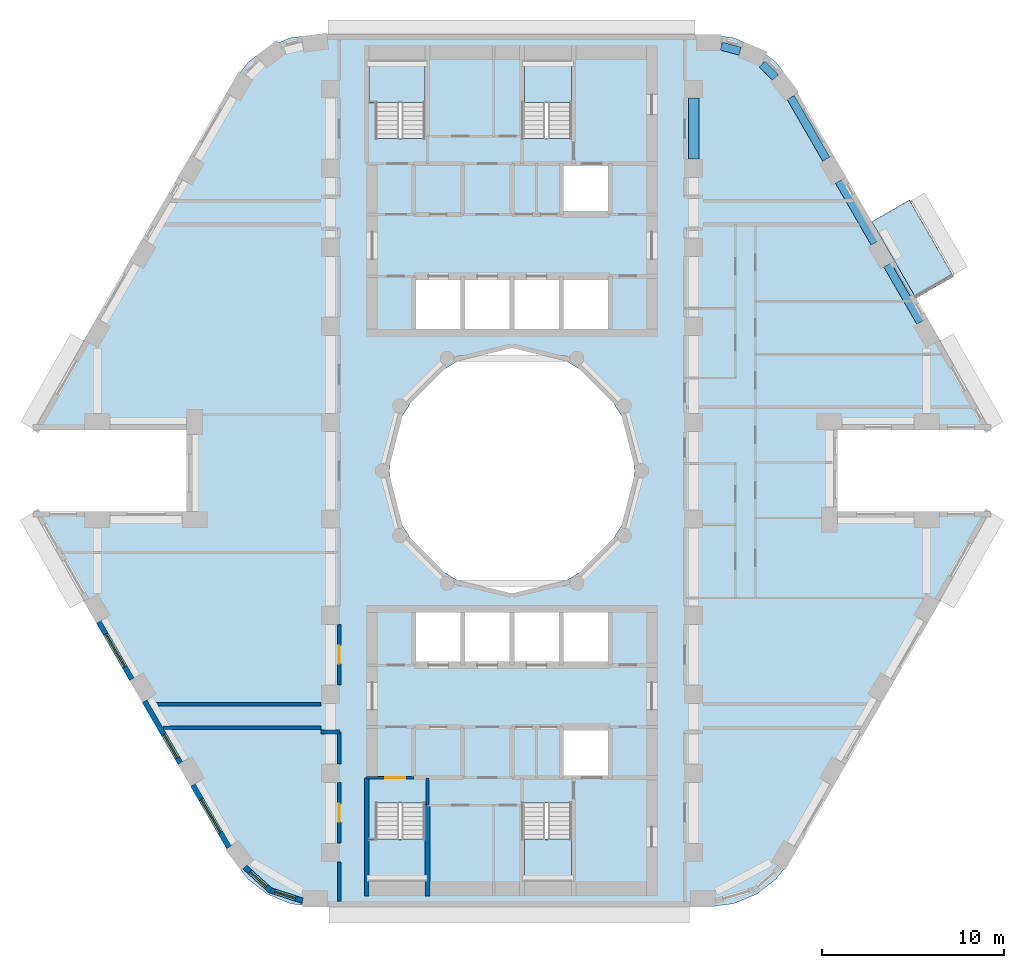
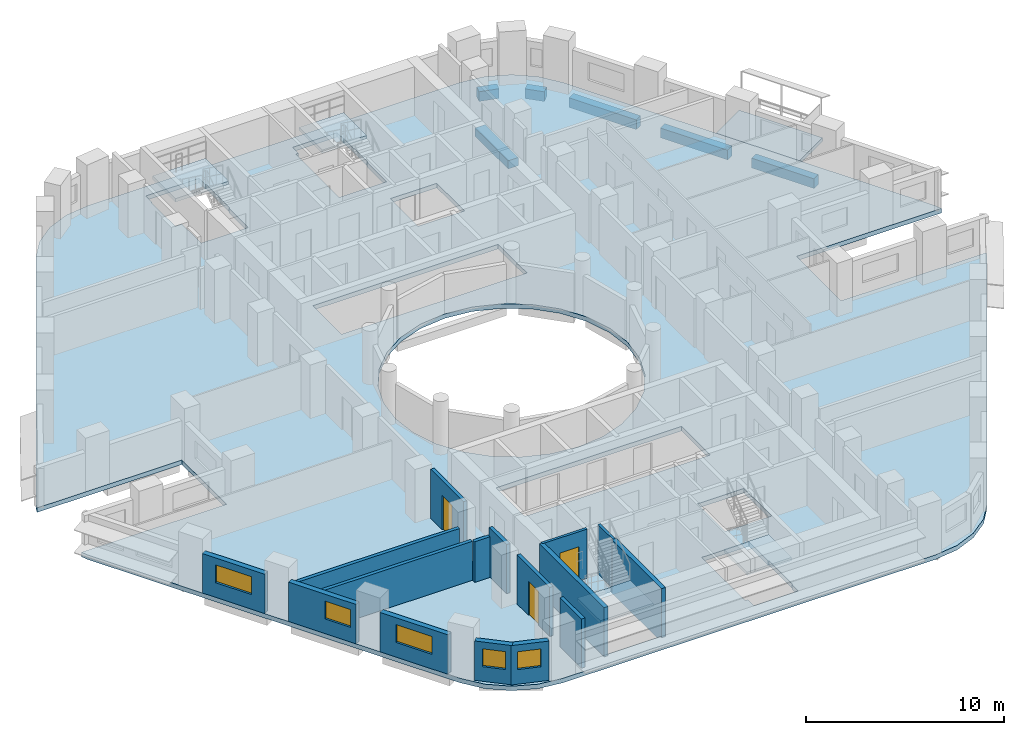
# One storey, part 2 of 13: 16 walls, 6 beams, 6 slabs, 5 windows, 3 doors, 8 openings, 4 elements without a shape of their own.
"""IFC4 building model written with IfcOpenShell, lengths in metres."""

from ifc_helpers import new_model, si_unit, direction, frame, frame_2d, origin, origin_2d, place, context, subcontext, project, spatial, polyline, rectangle, outline, extrude, material, layer, layer_set, material_profile, profile_set, type_object, element, fill, aggregate, save


model = new_model("IFC4")

# Units and contexts
model_context = context("Model", 3, precision=1e-05, world=origin(), true_north=direction((0.0, 1.0)))
body_context = subcontext(model_context, "Body", "Model", "MODEL_VIEW")
ifc_project = project(units=[si_unit("LENGTHUNIT", "METRE"), si_unit("AREAUNIT", "SQUARE_METRE"), si_unit("VOLUMEUNIT", "CUBIC_METRE"), si_unit("PLANEANGLEUNIT", "RADIAN"), si_unit("MASSUNIT", "GRAM", prefix="KILO")], contexts=[model_context])

# Site, building, storey
site_placement = place(None, origin())
site = spatial("IfcSite", under=ifc_project, at=site_placement, CompositionType="ELEMENT")
building_placement = place(site_placement, origin())
building = spatial("IfcBuilding", under=site, at=building_placement, Name="Nakaniwa Court", CompositionType="ELEMENT")
storey_placement = place(building_placement, frame((0.0, 0.0, 84.300048828125)))
storey = spatial("IfcBuildingStorey", under=building, at=storey_placement, Name="L21", CompositionType="ELEMENT", Elevation=84.300048828125)

# Beams
ifc_material_1 = material(Name="Concrete C80/100", Category="concrete")
ifc_material_profile_1 = material_profile(ifc_material_1, rectangle(XDim=0.449951171875, YDim=0.60009765625, at=origin_2d()), Name="Concrete C80/100 RC 450x600 spandrel beam")
ifc_profile_set_1 = profile_set([ifc_material_profile_1], Name="Concrete C80/100")
beam_type_1 = type_object("IfcBeamType", Name="Concrete C80/100 RC 450x600 spandrel beam", PredefinedType="BEAM", material=ifc_profile_set_1)
beam_1_placement = place(storey_placement, frame((102.472900390625, 88.17578125, -0.574951171875), z_axis=(-0.499988394233, 0.866032104273, 0.0), x_axis=(-0.866032104273, -0.499988394233, 0.0)))
element("IfcBeam", 1, at=beam_1_placement, inside=storey, type_object=beam_type_1, Name="SPANDREL BEAM", PredefinedType="BEAM", context=body_context, shape_type="SweptSolid", body=[
    extrude(rectangle(XDim=0.449951171875, YDim=0.60009765625, at=origin_2d()), origin(), (0.0, 0.0, 1.0), 3.62890625),
])
beam_2_placement = place(storey_placement, frame((99.95849609375, 92.531005859375, -0.574951171875), z_axis=(-0.49999161165, 0.866030246746, 0.0), x_axis=(-0.866030246746, -0.49999161165, 0.0)))
element("IfcBeam", 2, at=beam_2_placement, inside=storey, type_object=beam_type_1, Name="SPANDREL BEAM", PredefinedType="BEAM", context=body_context, shape_type="SweptSolid", body=[
    extrude(rectangle(XDim=0.449951171875, YDim=0.60009765625, at=origin_2d()), origin(), (0.0, 0.0, 1.0), 3.92578125),
])
beam_3_placement = place(storey_placement, frame((97.29541015625, 97.143310546875, -0.574951171875), z_axis=(-0.499997407846, 0.86602690036, 0.0), x_axis=(-0.86602690036, -0.499997407846, 0.0)))
element("IfcBeam", 3, at=beam_3_placement, inside=storey, type_object=beam_type_1, Name="SPANDREL BEAM", PredefinedType="BEAM", context=body_context, shape_type="SweptSolid", body=[
    extrude(rectangle(XDim=0.449951171875, YDim=0.60009765625, at=origin_2d()), origin(), (0.0, 0.0, 1.0), 3.919921875),
])
beam_4_placement = place(storey_placement, frame((94.484130859375, 101.6494140625, -0.574951171875), z_axis=(-0.705911336947, 0.7083002078, 0.0), x_axis=(-0.7083002078, -0.705911336947, 0.0)))
element("IfcBeam", 4, at=beam_4_placement, inside=storey, type_object=beam_type_1, Name="SPANDREL BEAM", PredefinedType="BEAM", context=body_context, shape_type="SweptSolid", body=[
    extrude(rectangle(XDim=0.449951171875, YDim=0.60009765625, at=origin_2d()), origin(), (0.0, 0.0, 1.0), 1.02197265625),
])
beam_5_placement = place(storey_placement, frame((92.544921875, 103.091796875, -0.574951171875), z_axis=(-0.966315487466, 0.257360406209, 0.0), x_axis=(-0.257360406209, -0.966315487466, 0.0)))
element("IfcBeam", 5, at=beam_5_placement, inside=storey, type_object=beam_type_1, Name="SPANDREL BEAM", PredefinedType="BEAM", context=body_context, shape_type="SweptSolid", body=[
    extrude(rectangle(XDim=0.449951171875, YDim=0.60009765625, at=origin_2d()), origin(), (0.0, 0.0, 1.0), 1.055908203125),
])
ifc_material_profile_2 = material_profile(ifc_material_1, rectangle(XDim=0.60009765625, YDim=0.5, at=origin_2d()), Name="Concrete C80/100 RC 600x500 ring beam")
ifc_profile_set_2 = profile_set([ifc_material_profile_2], Name="Concrete C80/100")
beam_type_2 = type_object("IfcBeamType", Name="Concrete C80/100 RC 600x500 ring beam", PredefinedType="BEAM", material=ifc_profile_set_2)
beam_6_placement = place(storey_placement, frame((90.0, 97.14990234375, -0.525146484375), z_axis=(0.0, 1.0, 0.0), x_axis=(-1.0, 0.0, 0.0)))
element("IfcBeam", 6, at=beam_6_placement, inside=storey, type_object=beam_type_2, Name="RING BEAM", PredefinedType="BEAM", context=body_context, shape_type="SweptSolid", body=[
    extrude(rectangle(XDim=0.60009765625, YDim=0.5, at=origin_2d()), origin(), (0.0, 0.0, 1.0), 3.35009765625),
])

# Slabs
ifc_material_2 = material(Name="Charcoal ceramic paver")
ifc_layer_1 = layer(ifc_material_2, 0.02, Name="Ceramic paver")
ifc_material_3 = material(Name="Cement sand screed")
ifc_layer_2 = layer(ifc_material_3, 0.03, Name="Falls screed")
ifc_material_4 = material(Name="Concrete C40/50", Category="concrete")
ifc_layer_3 = layer(ifc_material_4, 0.15, Name="Balcony slab")
ifc_layer_set_1 = layer_set([ifc_layer_1, ifc_layer_2, ifc_layer_3], Name="Concrete C40/50 balcony slab with ceramic paver finish")
slab_type_1 = type_object("IfcSlabType", Name="Balcony slab 200", PredefinedType="FLOOR", material=ifc_layer_set_1)
slab_1_placement = place(storey_placement, frame((0.0, 0.0, -0.25)))
element("IfcSlab", 7, at=slab_1_placement, inside=storey, type_object=slab_type_1, Name="L21 balcony 01", PredefinedType="FLOOR", context=body_context, shape_type="SweptSolid", body=[
    extrude(outline(polyline([(102.230712890625, 89.49560546875), (99.797607421875, 93.7099609375), (101.8759765625, 94.909912109375), (104.30908203125, 90.695556640625), (102.230712890625, 89.49560546875)])), origin(), (0.0, 0.0, 1.0), 0.199951171875),
])
ifc_layer_4 = layer(ifc_material_1, 0.27490234375)
ifc_layer_set_2 = layer_set([ifc_layer_4], Name="Concrete C80/100")
slab_type_2 = type_object("IfcSlabType", Name="Concrete C80/100 post tensioned floor slab 275", PredefinedType="FLOOR", material=ifc_layer_set_2)
slab_2_placement = place(storey_placement, frame((0.0, 0.0, -0.275146484375)))
element("IfcSlab", 8, at=slab_2_placement, inside=storey, type_object=slab_type_2, Name="FLOOR SLAB", PredefinedType="FLOOR", context=body_context, shape_type="SweptSolid", body=[
    extrude(outline(polyline([(97.908447265625, 82.25), (106.356689453125, 82.25), (106.211669921875, 82.60009765625), (95.357421875, 101.39990234375), (94.531005859375, 102.47705078125), (93.4541015625, 103.30322265625), (92.199951171875, 103.82275390625), (90.854248046875, 104.0), (69.145751953125, 104.0), (67.800048828125, 103.82275390625), (66.5458984375, 103.30322265625), (65.468994140625, 102.47705078125), (64.642578125, 101.39990234375), (53.788330078125, 82.60009765625), (53.643310546875, 82.25), (62.091552734375, 82.25), (62.091552734375, 77.75), (53.643310546875, 77.75), (53.788330078125, 77.39990234375), (64.642578125, 58.60009765625), (65.468994140625, 57.52294921875), (66.5458984375, 56.69677734375), (67.800048828125, 56.17724609375), (69.145751953125, 56.0), (90.854248046875, 56.0), (92.199951171875, 56.17724609375), (93.4541015625, 56.69677734375), (94.531005859375, 57.52294921875), (95.357421875, 58.60009765625), (106.211669921875, 77.39990234375), (106.356689453125, 77.75), (97.908447265625, 77.75), (97.908447265625, 82.25)]), holes=[polyline([(81.501953125, 86.580810546875), (80.0, 86.75), (78.498046875, 86.580810546875), (77.0712890625, 86.08154296875), (75.79150390625, 85.27734375), (74.72265625, 84.20849609375), (73.91845703125, 82.9287109375), (73.419189453125, 81.501953125), (73.25, 80.0), (73.419189453125, 78.498046875), (73.91845703125, 77.0712890625), (74.72265625, 75.79150390625), (75.79150390625, 74.72265625), (77.0712890625, 73.91845703125), (78.498046875, 73.419189453125), (80.0, 73.25), (81.501953125, 73.419189453125), (82.9287109375, 73.91845703125), (84.20849609375, 74.72265625), (85.27734375, 75.79150390625), (86.08154296875, 77.0712890625), (86.580810546875, 78.498046875), (86.75, 80.0), (86.580810546875, 81.501953125), (86.08154296875, 82.9287109375), (85.27734375, 84.20849609375), (84.20849609375, 85.27734375), (82.9287109375, 86.08154296875), (81.501953125, 86.580810546875)]), polyline([(75.264892578125, 57.360107421875), (75.264892578125, 59.764892578125), (75.22509765625, 59.764892578125), (75.22509765625, 61.7099609375), (72.47509765625, 61.7099609375), (72.47509765625, 59.764892578125), (72.0849609375, 59.764892578125), (72.0849609375, 57.360107421875), (72.125, 57.360107421875), (72.125, 56.72509765625), (75.22509765625, 56.72509765625), (75.22509765625, 57.324951171875), (75.22509765625, 57.360107421875), (75.264892578125, 57.360107421875)]), polyline([(80.0, 69.300048828125), (82.699951171875, 69.300048828125), (85.39990234375, 69.300048828125), (85.39990234375, 72.199951171875), (82.699951171875, 72.199951171875), (80.0, 72.199951171875), (77.300048828125, 72.199951171875), (74.60009765625, 72.199951171875), (74.60009765625, 69.300048828125), (77.300048828125, 69.300048828125), (80.0, 69.300048828125)]), polyline([(80.0, 87.800048828125), (82.699951171875, 87.800048828125), (85.39990234375, 87.800048828125), (85.39990234375, 90.699951171875), (82.699951171875, 90.699951171875), (80.0, 90.699951171875), (77.300048828125, 90.699951171875), (74.60009765625, 90.699951171875), (74.60009765625, 87.800048828125), (77.300048828125, 87.800048828125), (80.0, 87.800048828125)]), polyline([(75.264892578125, 100.235107421875), (75.264892578125, 102.639892578125), (75.22509765625, 102.639892578125), (75.22509765625, 102.675048828125), (75.22509765625, 103.27490234375), (72.125, 103.27490234375), (72.125, 102.639892578125), (72.0849609375, 102.639892578125), (72.0849609375, 100.235107421875), (72.47509765625, 100.235107421875), (72.47509765625, 98.2900390625), (75.22509765625, 98.2900390625), (75.22509765625, 100.235107421875), (75.264892578125, 100.235107421875)]), polyline([(83.27490234375, 61.7099609375), (80.52490234375, 61.7099609375), (80.52490234375, 57.324951171875), (80.675048828125, 57.324951171875), (80.675048828125, 56.72509765625), (83.27490234375, 56.72509765625), (83.27490234375, 57.324951171875), (83.27490234375, 57.360107421875), (83.31494140625, 57.360107421875), (83.31494140625, 59.764892578125), (83.27490234375, 59.764892578125), (83.27490234375, 61.7099609375)]), polyline([(85.39990234375, 65.89990234375), (82.699951171875, 65.89990234375), (82.699951171875, 63.10009765625), (85.39990234375, 63.10009765625), (85.39990234375, 65.89990234375)]), polyline([(85.39990234375, 96.89990234375), (82.699951171875, 96.89990234375), (82.699951171875, 94.10009765625), (85.39990234375, 94.10009765625), (85.39990234375, 96.89990234375)]), polyline([(83.27490234375, 100.235107421875), (83.31494140625, 100.235107421875), (83.31494140625, 102.639892578125), (83.27490234375, 102.639892578125), (83.27490234375, 102.675048828125), (83.27490234375, 103.27490234375), (80.675048828125, 103.27490234375), (80.675048828125, 102.675048828125), (80.52490234375, 102.675048828125), (80.52490234375, 98.2900390625), (83.27490234375, 98.2900390625), (83.27490234375, 100.235107421875)])]), origin(), (0.0, 0.0, 1.0), 0.275146484375),
])

# Stair, slab
stair_type = type_object("IfcStairType", Name="Dog leg stair 1300 wide 18 risers", PredefinedType="HALF_TURN_STAIR", material=ifc_material_1)
stair_1_placement = place(storey_placement, origin())
stair_1 = element("IfcStair", 9, at=stair_1_placement, inside=storey, type_object=stair_type, Name="L21 Stair ST1", PredefinedType="HALF_TURN_STAIR")
ifc_layer_5 = layer(ifc_material_1, 0.199951171875)
ifc_layer_set_3 = layer_set([ifc_layer_5], Name="Concrete C80/100")
slab_type_3 = type_object("IfcSlabType", Name="Stair landing concrete", PredefinedType="LANDING", material=ifc_layer_set_3)
slab_3_placement = place(storey_placement, frame((0.0, 0.0, 1.449951171875)))
slab_3 = element("IfcSlab", 10, at=slab_3_placement, type_object=slab_type_3, Name="ST1 landing 1", PredefinedType="LANDING", context=body_context, shape_type="SweptSolid", body=[
    extrude(outline(polyline([(75.22509765625, 100.27490234375), (75.22509765625, 102.60009765625), (72.125, 102.60009765625), (72.125, 100.27490234375), (75.22509765625, 100.27490234375)])), origin(), (0.0, 0.0, 1.0), 0.199951171875),
])
aggregate(stair_1, [slab_3])

stair_2_placement = place(storey_placement, origin())
stair_2 = element("IfcStair", 11, at=stair_2_placement, inside=storey, type_object=stair_type, Name="L21 Stair ST2", PredefinedType="HALF_TURN_STAIR")
slab_4_placement = place(storey_placement, frame((0.0, 0.0, 1.449951171875)))
slab_4 = element("IfcSlab", 12, at=slab_4_placement, type_object=slab_type_3, Name="ST2 landing 1", PredefinedType="LANDING", context=body_context, shape_type="SweptSolid", body=[
    extrude(outline(polyline([(83.27490234375, 100.27490234375), (83.27490234375, 102.60009765625), (80.675048828125, 102.60009765625), (80.675048828125, 100.27490234375), (83.27490234375, 100.27490234375)])), origin(), (0.0, 0.0, 1.0), 0.199951171875),
])
aggregate(stair_2, [slab_4])

stair_3_placement = place(storey_placement, origin())
stair_3 = element("IfcStair", 13, at=stair_3_placement, inside=storey, type_object=stair_type, Name="L21 Stair ST3", PredefinedType="HALF_TURN_STAIR")
slab_5_placement = place(storey_placement, frame((0.0, 0.0, 1.449951171875)))
slab_5 = element("IfcSlab", 14, at=slab_5_placement, type_object=slab_type_3, Name="ST3 landing 1", PredefinedType="LANDING", context=body_context, shape_type="SweptSolid", body=[
    extrude(outline(polyline([(75.22509765625, 57.39990234375), (75.22509765625, 59.72509765625), (72.125, 59.72509765625), (72.125, 57.39990234375), (75.22509765625, 57.39990234375)])), origin(), (0.0, 0.0, 1.0), 0.199951171875),
])
aggregate(stair_3, [slab_5])

stair_4_placement = place(storey_placement, origin())
stair_4 = element("IfcStair", 15, at=stair_4_placement, inside=storey, type_object=stair_type, Name="L21 Stair ST4", PredefinedType="HALF_TURN_STAIR")
slab_6_placement = place(storey_placement, frame((0.0, 0.0, 1.449951171875)))
slab_6 = element("IfcSlab", 16, at=slab_6_placement, type_object=slab_type_3, Name="ST4 landing 1", PredefinedType="LANDING", context=body_context, shape_type="SweptSolid", body=[
    extrude(outline(polyline([(83.27490234375, 57.39990234375), (83.27490234375, 59.72509765625), (80.675048828125, 59.72509765625), (80.675048828125, 57.39990234375), (83.27490234375, 57.39990234375)])), origin(), (0.0, 0.0, 1.0), 0.199951171875),
])
aggregate(stair_4, [slab_6])

# Walls
ifc_material_5 = material(Name="Acoustic double stud partition")
ifc_layer_6 = layer(ifc_material_5, 0.199951171875)
ifc_layer_set_4 = layer_set([ifc_layer_6], Name="Acoustic double stud partition")
wall_type_1 = type_object("IfcWallType", Name="Acoustic double stud partition 200", PredefinedType="PARTITIONING", material=ifc_layer_set_4)
wall_1_placement = place(storey_placement, frame((60.052490234375, 67.14990234375, 0.0), z_axis=(0.0, 0.0, 1.0), x_axis=(1.0, 0.0, 0.0)))
element("IfcWall", 17, at=wall_1_placement, inside=storey, type_object=wall_type_1, Name="Partition PW-089", PredefinedType="PARTITIONING", context=body_context, shape_type="SweptSolid", body=[
    extrude(rectangle(XDim=9.447509765625, YDim=0.199951171875, at=frame_2d((4.7236328125, 0.0))), origin(), (0.0, 0.0, 1.0), 2.405029296875),
])
wall_2_placement = place(storey_placement, frame((60.802978515625, 65.85009765625, 0.0), z_axis=(0.0, 0.0, 1.0), x_axis=(1.0, 0.0, 0.0)))
element("IfcWall", 18, at=wall_2_placement, inside=storey, type_object=wall_type_1, Name="Partition PW-091", PredefinedType="PARTITIONING", context=body_context, shape_type="SweptSolid", body=[
    extrude(rectangle(XDim=8.697021484375, YDim=0.199951171875, at=frame_2d((4.3486328125, 0.0))), origin(), (0.0, 0.0, 1.0), 2.405029296875),
])
wall_3_placement = place(storey_placement, frame((69.5, 65.625, 0.0), z_axis=(0.0, 0.0, 1.0), x_axis=(1.0, 0.0, 0.0)))
element("IfcWall", 19, at=wall_3_placement, inside=storey, type_object=wall_type_1, Name="Partition PW-093", PredefinedType="PARTITIONING", context=body_context, shape_type="SweptSolid", body=[
    extrude(rectangle(XDim=1.0, YDim=0.199951171875, at=frame_2d((0.5, 0.0))), origin(), (0.0, 0.0, 1.0), 2.5048828125),
])
wall_4_placement = place(storey_placement, frame((70.5, 56.300048828125, 0.0), z_axis=(0.0, 0.0, 1.0), x_axis=(0.0, 1.0, 0.0)))
element("IfcWall", 20, at=wall_4_placement, inside=storey, type_object=wall_type_1, Name="Partition PW-095", PredefinedType="PARTITIONING", context=body_context, shape_type="SweptSolid", body=[
    extrude(rectangle(XDim=2.182861328125, YDim=0.199951171875, at=frame_2d((1.09130859375, 0.0))), origin(), (0.0, 0.0, 1.0), 3.02490234375),
])

# Wall, opening, door
wall_5_placement = place(storey_placement, frame((70.5, 59.51708984375, 0.0), z_axis=(0.0, 0.0, 1.0), x_axis=(0.0, 1.0, 0.0)))
wall_5 = element("IfcWall", 21, at=wall_5_placement, inside=storey, type_object=wall_type_1, Name="Partition PW-096", PredefinedType="PARTITIONING", context=body_context, shape_type="SweptSolid", body=[
    extrude(rectangle(XDim=3.31591796875, YDim=0.199951171875, at=frame_2d((1.657958984375, 0.0))), origin(), (0.0, 0.0, 1.0), 3.02490234375),
])
opening_1_placement = place(wall_5_placement, frame((1.157958984375, 0.0, 0.0)))
opening_1 = element("IfcOpeningElement", 22, at=opening_1_placement, cuts=wall_5, Name="Opening D-02-03", PredefinedType="OPENING", context=body_context, shape_type="SweptSolid", body=[
    extrude(rectangle(XDim=1.0, YDim=2.10009765625, at=frame_2d((0.5, 1.050048828125))), frame((0.0, 0.10986328125, 0.0), z_axis=(0.0, -1.0, 0.0), x_axis=(1.0, 0.0, 0.0)), (0.0, 0.0, 1.0), 0.219970703125),
])
ifc_material_6 = material(Name="Solid core timber door set, black veneer", Category="wood")
door_type_1 = type_object("IfcDoorType", Name="Internal door 1000", OperationType="NOTDEFINED", PredefinedType="DOOR", material=ifc_material_6)
door_1_placement = place(opening_1_placement, origin())
door_1 = element("IfcDoor", 23, at=door_1_placement, inside=storey, type_object=door_type_1, Name="Door D-02-03 L21-041", OperationType="SINGLE_SWING_RIGHT", OverallHeight=2.10009765625, OverallWidth=1.0, PredefinedType="DOOR", context=body_context, shape_type="SweptSolid", body=[
    extrude(rectangle(XDim=1.0, YDim=2.10009765625, at=frame_2d((0.5, 1.050048828125))), frame((0.0, 0.02490234375, 0.0), z_axis=(0.0, -1.0, 0.0), x_axis=(1.0, 0.0, 0.0)), (0.0, 0.0, 1.0), 0.050048828125),
])
fill(opening_1, door_1)

# Wall
wall_6_placement = place(storey_placement, frame((70.5, 63.866943359375, 0.0), z_axis=(0.0, 0.0, 1.0), x_axis=(0.0, 1.0, 0.0)))
element("IfcWall", 24, at=wall_6_placement, inside=storey, type_object=wall_type_1, Name="Partition PW-097", PredefinedType="PARTITIONING", context=body_context, shape_type="SweptSolid", body=[
    extrude(rectangle(XDim=1.760986328125, YDim=0.199951171875, at=frame_2d((0.88037109375, 0.0))), origin(), (0.0, 0.0, 1.0), 3.02490234375),
])

# Wall, opening, door
wall_7_placement = place(storey_placement, frame((70.5, 68.217041015625, 0.0), z_axis=(0.0, 0.0, 1.0), x_axis=(0.0, 1.0, 0.0)))
wall_7 = element("IfcWall", 25, at=wall_7_placement, inside=storey, type_object=wall_type_1, Name="Partition PW-098", PredefinedType="PARTITIONING", context=body_context, shape_type="SweptSolid", body=[
    extrude(rectangle(XDim=3.31591796875, YDim=0.199951171875, at=frame_2d((1.657958984375, 0.0))), origin(), (0.0, 0.0, 1.0), 3.02490234375),
])
opening_2_placement = place(wall_7_placement, frame((1.157958984375, 0.0, 0.0)))
opening_2 = element("IfcOpeningElement", 26, at=opening_2_placement, cuts=wall_7, Name="Opening D-02-04", PredefinedType="OPENING", context=body_context, shape_type="SweptSolid", body=[
    extrude(rectangle(XDim=1.0, YDim=2.10009765625, at=frame_2d((0.5, 1.050048828125))), frame((0.0, 0.10986328125, 0.0), z_axis=(0.0, -1.0, 0.0), x_axis=(1.0, 0.0, 0.0)), (0.0, 0.0, 1.0), 0.219970703125),
])
door_2_placement = place(opening_2_placement, origin())
door_2 = element("IfcDoor", 27, at=door_2_placement, inside=storey, type_object=door_type_1, Name="Door D-02-04 L21-042", OperationType="SINGLE_SWING_LEFT", OverallHeight=2.10009765625, OverallWidth=1.0, PredefinedType="DOOR", context=body_context, shape_type="SweptSolid", body=[
    extrude(rectangle(XDim=1.0, YDim=2.10009765625, at=frame_2d((0.5, 1.050048828125))), frame((0.0, 0.02490234375, 0.0), z_axis=(0.0, -1.0, 0.0), x_axis=(1.0, 0.0, 0.0)), (0.0, 0.0, 1.0), 0.050048828125),
])
fill(opening_2, door_2)

# Wall, opening, window
ifc_material_7 = material(Name="Charcoal ceramic cladding")
ifc_layer_7 = layer(ifc_material_7, 0.02, Name="Ceramic cladding")
ifc_material_8 = material(Name="Ventilated air cavity")
ifc_layer_8 = layer(ifc_material_8, 0.04, ventilated=True, Name="Ventilated cavity")
ifc_material_9 = material(Name="Mineral wool insulation")
ifc_layer_9 = layer(ifc_material_9, 0.1, Name="Insulation")
ifc_material_10 = material(Name="Cement bonded sheathing board")
ifc_layer_10 = layer(ifc_material_10, 0.012, Name="Sheathing")
ifc_material_11 = material(Name="Cold-formed galvanised stud frame with mineral wool infill")
ifc_layer_11 = layer(ifc_material_11, 0.1, Name="Stud frame")
ifc_material_12 = material(Name="Fire-rated gypsum plasterboard lining")
ifc_layer_12 = layer(ifc_material_12, 0.028, Name="Lining")
ifc_layer_set_5 = layer_set([ifc_layer_7, ifc_layer_8, ifc_layer_9, ifc_layer_10, ifc_layer_11, ifc_layer_12], Name="Charcoal ceramic faced external wall system")
wall_type_2 = type_object("IfcWallType", Name="Black ceramic faced external wall 300", PredefinedType="SOLIDWALL", material=ifc_layer_set_5)
wall_8_placement = place(storey_placement, frame((57.265380859375, 71.677490234375, 0.0), z_axis=(0.0, 0.0, 1.0), x_axis=(0.500009139881, -0.866020126807, 0.0)))
wall_8 = element("IfcWall", 28, at=wall_8_placement, inside=storey, type_object=wall_type_2, Name="L21 external wall 21", PredefinedType="SOLIDWALL", context=body_context, shape_type="SweptSolid", body=[
    extrude(rectangle(XDim=3.63671875, YDim=0.300048828125, at=frame_2d((1.818359375, 0.0))), origin(), (0.0, 0.0, 1.0), 2.425048828125),
])
opening_3_placement = place(wall_8_placement, frame((0.768310546875, 0.0, 0.89990234375)))
opening_3 = element("IfcOpeningElement", 29, at=opening_3_placement, cuts=wall_8, Name="Opening W7.22", PredefinedType="OPENING", context=body_context, shape_type="SweptSolid", body=[
    extrude(rectangle(XDim=2.10009765625, YDim=1.10009765625, at=frame_2d((1.050048828125, 0.550048828125))), frame((0.0, 0.159912109375, 0.0), z_axis=(0.0, -1.0, 0.0), x_axis=(1.0, 0.0, 0.0)), (0.0, 0.0, 1.0), 0.320068359375),
])
ifc_material_13 = material(Name="Black anodised aluminium frame with dark low-E laminated double glazing", Category="aluminium")
window_type_1 = type_object("IfcWindowType", Name="Dark glass window 2100x1100 sill 900", PartitioningType="SINGLE_PANEL", PredefinedType="WINDOW", material=ifc_material_13)
window_1_placement = place(opening_3_placement, origin())
window_1 = element("IfcWindow", 30, at=window_1_placement, inside=storey, type_object=window_type_1, Name="L21 habitable room window 21-0", OverallHeight=1.10009765625, OverallWidth=2.10009765625, PartitioningType="SINGLE_PANEL", PredefinedType="WINDOW", context=body_context, shape_type="SweptSolid", body=[
    extrude(rectangle(XDim=2.10009765625, YDim=1.10009765625, at=frame_2d((1.050048828125, 0.550048828125))), frame((0.0, 0.030029296875, 0.0), z_axis=(0.0, -1.0, 0.0), x_axis=(1.0, 0.0, 0.0)), (0.0, 0.0, 1.0), 0.06005859375),
])
fill(opening_3, window_1)

wall_9_placement = place(storey_placement, frame((59.77978515625, 67.322509765625, 0.0), z_axis=(0.0, 0.0, 1.0), x_axis=(0.499957037901, -0.866050206543, 0.0)))
wall_9 = element("IfcWall", 31, at=wall_9_placement, inside=storey, type_object=wall_type_2, Name="L21 external wall 22", PredefinedType="SOLIDWALL", context=body_context, shape_type="SweptSolid", body=[
    extrude(rectangle(XDim=3.933837890625, YDim=0.300048828125, at=frame_2d((1.966796875, 0.0))), origin(), (0.0, 0.0, 1.0), 2.425048828125),
])
opening_4_placement = place(wall_9_placement, frame((2.104248046875, 0.0, 0.89990234375)))
opening_4 = element("IfcOpeningElement", 32, at=opening_4_placement, cuts=wall_9, Name="Opening W5.23", PredefinedType="OPENING", context=body_context, shape_type="SweptSolid", body=[
    extrude(rectangle(XDim=1.5, YDim=1.10009765625, at=frame_2d((0.75, 0.550048828125))), frame((0.0, 0.159912109375, 0.0), z_axis=(0.0, -1.0, 0.0), x_axis=(1.0, 0.0, 0.0)), (0.0, 0.0, 1.0), 0.320068359375),
])
window_type_2 = type_object("IfcWindowType", Name="Dark glass window 1500x1100 sill 900", PartitioningType="SINGLE_PANEL", PredefinedType="WINDOW", material=ifc_material_13)
window_2_placement = place(opening_4_placement, origin())
window_2 = element("IfcWindow", 33, at=window_2_placement, inside=storey, type_object=window_type_2, Name="L21 habitable room window 22-2", OverallHeight=1.10009765625, OverallWidth=1.5, PartitioningType="SINGLE_PANEL", PredefinedType="WINDOW", context=body_context, shape_type="SweptSolid", body=[
    extrude(rectangle(XDim=1.5, YDim=1.10009765625, at=frame_2d((0.75, 0.550048828125))), frame((0.0, 0.030029296875, 0.0), z_axis=(0.0, -1.0, 0.0), x_axis=(1.0, 0.0, 0.0)), (0.0, 0.0, 1.0), 0.06005859375),
])
fill(opening_4, window_2)

wall_10_placement = place(storey_placement, frame((62.442626953125, 62.710205078125, 0.0), z_axis=(0.0, 0.0, 1.0), x_axis=(0.500043828347, -0.866000097998, 0.0)))
wall_10 = element("IfcWall", 34, at=wall_10_placement, inside=storey, type_object=wall_type_2, Name="L21 external wall 23", PredefinedType="SOLIDWALL", context=body_context, shape_type="SweptSolid", body=[
    extrude(rectangle(XDim=3.967529296875, YDim=0.300048828125, at=frame_2d((1.98388671875, 0.0))), origin(), (0.0, 0.0, 1.0), 2.425048828125),
])
opening_5_placement = place(wall_10_placement, frame((0.92236328125, 0.0, 0.89990234375)))
opening_5 = element("IfcOpeningElement", 35, at=opening_5_placement, cuts=wall_10, Name="Opening W7.24", PredefinedType="OPENING", context=body_context, shape_type="SweptSolid", body=[
    extrude(rectangle(XDim=2.10009765625, YDim=1.10009765625, at=frame_2d((1.050048828125, 0.550048828125))), frame((0.0, 0.159912109375, 0.0), z_axis=(0.0, -1.0, 0.0), x_axis=(1.0, 0.0, 0.0)), (0.0, 0.0, 1.0), 0.320068359375),
])
window_3_placement = place(opening_5_placement, origin())
window_3 = element("IfcWindow", 36, at=window_3_placement, inside=storey, type_object=window_type_1, Name="L21 habitable room window 23-0", OverallHeight=1.10009765625, OverallWidth=2.10009765625, PartitioningType="SINGLE_PANEL", PredefinedType="WINDOW", context=body_context, shape_type="SweptSolid", body=[
    extrude(rectangle(XDim=2.10009765625, YDim=1.10009765625, at=frame_2d((1.050048828125, 0.550048828125))), frame((0.0, 0.030029296875, 0.0), z_axis=(0.0, -1.0, 0.0), x_axis=(1.0, 0.0, 0.0)), (0.0, 0.0, 1.0), 0.06005859375),
])
fill(opening_5, window_3)

wall_11_placement = place(storey_placement, frame((65.294921875, 58.18603515625, 0.0), z_axis=(0.0, 0.0, 1.0), x_axis=(0.740421367382, -0.672142989791, 0.0)))
wall_11 = element("IfcWall", 37, at=wall_11_placement, inside=storey, type_object=wall_type_2, Name="L21 external wall 24", PredefinedType="SOLIDWALL", context=body_context, shape_type="SweptSolid", body=[
    extrude(rectangle(XDim=1.92724609375, YDim=0.300048828125, at=frame_2d((0.963623046875, 0.0))), origin(), (0.0, 0.0, 1.0), 2.425048828125),
])
opening_6_placement = place(wall_11_placement, frame((0.39111328125, 0.0, 0.89990234375)))
opening_6 = element("IfcOpeningElement", 38, at=opening_6_placement, cuts=wall_11, Name="Opening W6.25", PredefinedType="OPENING", context=body_context, shape_type="SweptSolid", body=[
    extrude(rectangle(XDim=1.199951171875, YDim=1.10009765625, at=frame_2d((0.60009765625, 0.550048828125))), frame((0.0, 0.159912109375, 0.0), z_axis=(0.0, -1.0, 0.0), x_axis=(1.0, 0.0, 0.0)), (0.0, 0.0, 1.0), 0.320068359375),
])
window_type_3 = type_object("IfcWindowType", Name="Dark glass window 1200x1100 sill 900", PartitioningType="SINGLE_PANEL", PredefinedType="WINDOW", material=ifc_material_13)
window_4_placement = place(opening_6_placement, origin())
window_4 = element("IfcWindow", 39, at=window_4_placement, inside=storey, type_object=window_type_3, Name="L21 habitable room window 24-0", OverallHeight=1.10009765625, OverallWidth=1.199951171875, PartitioningType="SINGLE_PANEL", PredefinedType="WINDOW", context=body_context, shape_type="SweptSolid", body=[
    extrude(rectangle(XDim=1.199951171875, YDim=1.10009765625, at=frame_2d((0.60009765625, 0.550048828125))), frame((0.0, 0.030029296875, 0.0), z_axis=(0.0, -1.0, 0.0), x_axis=(1.0, 0.0, 0.0)), (0.0, 0.0, 1.0), 0.06005859375),
])
fill(opening_6, window_4)

wall_12_placement = place(storey_placement, frame((66.625, 56.939453125, 0.0), z_axis=(0.0, 0.0, 1.0), x_axis=(0.950777961763, -0.309872985958, 0.0)))
wall_12 = element("IfcWall", 40, at=wall_12_placement, inside=storey, type_object=wall_type_2, Name="L21 external wall 25", PredefinedType="SOLIDWALL", context=body_context, shape_type="SweptSolid", body=[
    extrude(rectangle(XDim=1.949951171875, YDim=0.300048828125, at=frame_2d((0.97509765625, 0.0))), origin(), (0.0, 0.0, 1.0), 2.425048828125),
])
opening_7_placement = place(wall_12_placement, frame((0.334716796875, 0.0, 0.89990234375)))
opening_7 = element("IfcOpeningElement", 41, at=opening_7_placement, cuts=wall_12, Name="Opening W6.26", PredefinedType="OPENING", context=body_context, shape_type="SweptSolid", body=[
    extrude(rectangle(XDim=1.199951171875, YDim=1.10009765625, at=frame_2d((0.60009765625, 0.550048828125))), frame((0.0, 0.159912109375, 0.0), z_axis=(0.0, -1.0, 0.0), x_axis=(1.0, 0.0, 0.0)), (0.0, 0.0, 1.0), 0.320068359375),
])
window_5_placement = place(opening_7_placement, origin())
window_5 = element("IfcWindow", 42, at=window_5_placement, inside=storey, type_object=window_type_3, Name="L21 habitable room window 25-0", OverallHeight=1.10009765625, OverallWidth=1.199951171875, PartitioningType="SINGLE_PANEL", PredefinedType="WINDOW", context=body_context, shape_type="SweptSolid", body=[
    extrude(rectangle(XDim=1.199951171875, YDim=1.10009765625, at=frame_2d((0.60009765625, 0.550048828125))), frame((0.0, 0.030029296875, 0.0), z_axis=(0.0, -1.0, 0.0), x_axis=(1.0, 0.0, 0.0)), (0.0, 0.0, 1.0), 0.06005859375),
])
fill(opening_7, window_5)

# Wall, opening, door
ifc_layer_13 = layer(ifc_material_1, 0.14990234375)
ifc_layer_set_6 = layer_set([ifc_layer_13], Name="Concrete C80/100")
wall_type_3 = type_object("IfcWallType", Name="Concrete core wall 150 C80", PredefinedType="SHEAR", material=ifc_layer_set_6)
wall_13_placement = place(storey_placement, frame((72.0, 63.10009765625, -0.275146484375), z_axis=(0.0, 0.0, 1.0), x_axis=(1.0, 0.0, 0.0)))
wall_13 = element("IfcWall", 43, at=wall_13_placement, inside=storey, type_object=wall_type_3, Name="Core wall SW-56", PredefinedType="SHEAR", context=body_context, shape_type="SweptSolid", body=[
    extrude(rectangle(XDim=2.60009765625, YDim=0.14990234375, at=frame_2d((1.300048828125, 0.0))), origin(), (0.0, 0.0, 1.0), 3.300048828125),
])
opening_8_placement = place(wall_13_placement, frame((1.02001953125, 0.0, 0.27490234375)))
opening_8 = element("IfcOpeningElement", 44, at=opening_8_placement, cuts=wall_13, Name="Opening D-09-02", PredefinedType="OPENING", context=body_context, shape_type="SweptSolid", body=[
    extrude(rectangle(XDim=1.10009765625, YDim=2.10009765625, at=frame_2d((0.550048828125, 1.050048828125))), frame((0.0, 0.0849609375, 0.0), z_axis=(0.0, -1.0, 0.0), x_axis=(1.0, 0.0, 0.0)), (0.0, 0.0, 1.0), 0.169921875),
])
ifc_material_14 = material(Name="Fire rated steel door set", Category="steel")
door_type_2 = type_object("IfcDoorType", Name="Stair door 1100", OperationType="NOTDEFINED", PredefinedType="DOOR", material=ifc_material_14)
door_3_placement = place(opening_8_placement, origin())
door_3 = element("IfcDoor", 45, at=door_3_placement, inside=storey, type_object=door_type_2, Name="Door D-09-02 L21-025", OperationType="SINGLE_SWING_LEFT", OverallHeight=2.10009765625, OverallWidth=1.10009765625, PredefinedType="DOOR", context=body_context, shape_type="SweptSolid", body=[
    extrude(rectangle(XDim=1.10009765625, YDim=2.10009765625, at=frame_2d((0.550048828125, 1.050048828125))), frame((0.0, 0.02490234375, 0.0), z_axis=(0.0, -1.0, 0.0), x_axis=(1.0, 0.0, 0.0)), (0.0, 0.0, 1.0), 0.050048828125),
])
fill(opening_8, door_3)

# Walls
wall_14_placement = place(storey_placement, frame((75.35009765625, 61.596923828125, -0.275146484375), z_axis=(0.0, 0.0, 1.0), x_axis=(0.0, 1.0, 0.0)))
element("IfcWall", 46, at=wall_14_placement, inside=storey, type_object=wall_type_3, Name="Core wall SW-61", PredefinedType="SHEAR", context=body_context, shape_type="SweptSolid", body=[
    extrude(rectangle(XDim=1.503173828125, YDim=0.14990234375, at=frame_2d((0.75146484375, 0.0))), origin(), (0.0, 0.0, 1.0), 3.300048828125),
])
ifc_layer_14 = layer(ifc_material_1, 0.25)
ifc_layer_set_7 = layer_set([ifc_layer_14], Name="Concrete C80/100")
wall_type_4 = type_object("IfcWallType", Name="Concrete core wall 250 C80", PredefinedType="SHEAR", material=ifc_layer_set_7)
wall_15_placement = place(storey_placement, frame((72.0, 56.60009765625, -0.275146484375), z_axis=(0.0, 0.0, 1.0), x_axis=(0.0, 1.0, 0.0)))
element("IfcWall", 47, at=wall_15_placement, inside=storey, type_object=wall_type_4, Name="Core wall SW-63", PredefinedType="SHEAR", context=body_context, shape_type="SweptSolid", body=[
    extrude(rectangle(XDim=6.5, YDim=0.25, at=frame_2d((3.25, 0.0))), origin(), (0.0, 0.0, 1.0), 3.300048828125),
])
ifc_layer_15 = layer(ifc_material_1, 0.25)
ifc_layer_set_8 = layer_set([ifc_layer_15], Name="Concrete C80/100")
wall_type_5 = type_object("IfcWallType", Name="Concrete shaft wall 250 C80", PredefinedType="SHEAR", material=ifc_layer_set_8)
wall_16_placement = place(storey_placement, frame((75.35009765625, 56.60009765625, -0.275146484375), z_axis=(0.0, 0.0, 1.0), x_axis=(0.0, 1.0, 0.0)))
element("IfcWall", 48, at=wall_16_placement, inside=storey, type_object=wall_type_5, Name="Core wall SW-62", PredefinedType="SHEAR", context=body_context, shape_type="SweptSolid", body=[
    extrude(rectangle(XDim=5.0029296875, YDim=0.25, at=frame_2d((2.50146484375, 0.0))), origin(), (0.0, 0.0, 1.0), 3.300048828125),
])

save(model, "model.ifc")
